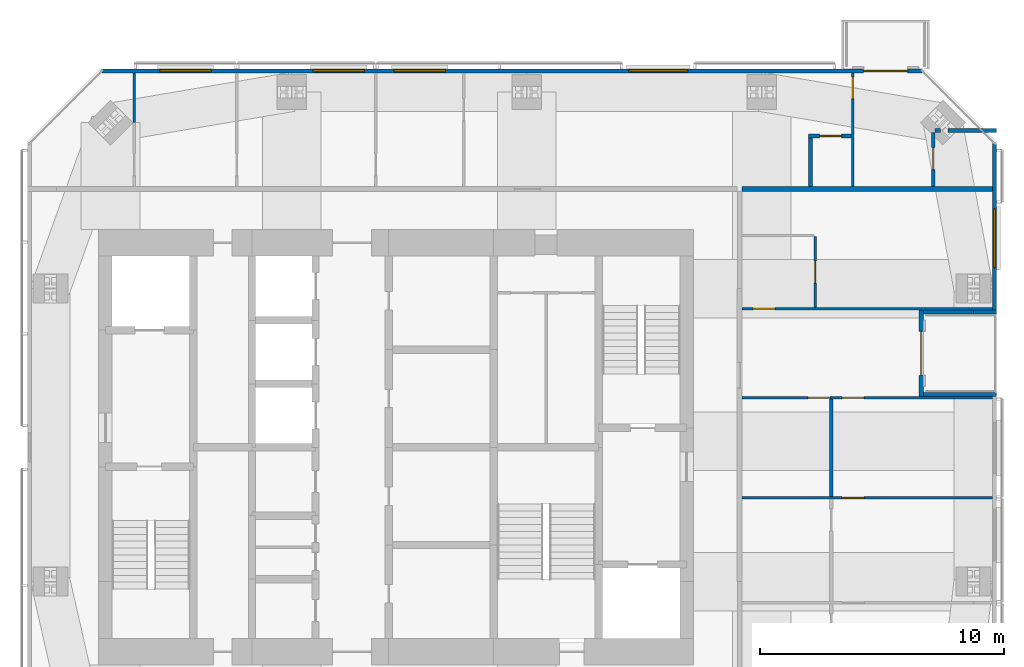
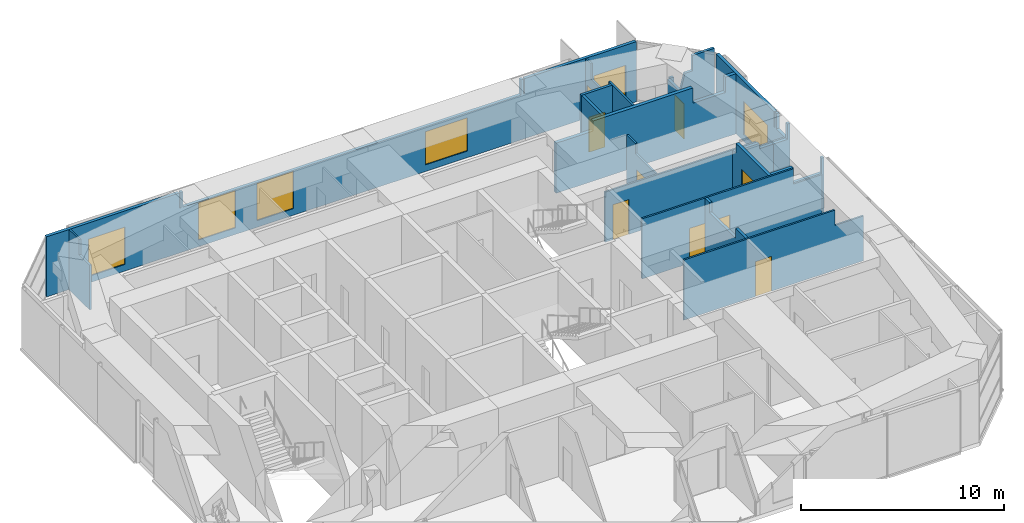
# One storey, part 18 of 20: 19 walls, 10 doors, 5 windows, 15 openings.
"""IFC4 building model written with IfcOpenShell, lengths in metres."""

from ifc_helpers import new_model, si_unit, direction, frame, frame_2d, origin, place, context, subcontext, project, spatial, polyline, rectangle, outline, extrude, material, constituent, constituent_set, type_object, element, fill, save


model = new_model("IFC4")

# Units and contexts
model_context = context("Model", 3, precision=1e-05, world=origin(), true_north=direction((0.0, 1.0)))
body_context = subcontext(model_context, "Body", "Model", "MODEL_VIEW")
ifc_project = project(units=[si_unit("LENGTHUNIT", "METRE"), si_unit("AREAUNIT", "SQUARE_METRE"), si_unit("VOLUMEUNIT", "CUBIC_METRE"), si_unit("PLANEANGLEUNIT", "RADIAN"), si_unit("MASSUNIT", "GRAM", prefix="KILO")], contexts=[model_context])

# Site, building, storey
site_placement = place(None, origin())
site = spatial("IfcSite", under=ifc_project, at=site_placement, CompositionType="ELEMENT")
building_placement = place(site_placement, origin())
building = spatial("IfcBuilding", under=site, at=building_placement, Name="Jalousie Tower", CompositionType="ELEMENT")
storey_placement = place(building_placement, frame((0.0, 0.0, 263.85009765625)))
storey = spatial("IfcBuildingStorey", under=building, at=storey_placement, Name="L72", CompositionType="ELEMENT", Elevation=263.85009765625)

# Walls
ifc_material_1 = material(Name="Concrete block ASTM C90", Category="concrete")
ifc_constituent_1 = constituent(ifc_material_1, Name="Body")
ifc_material_2 = material(Name="Render")
ifc_constituent_2 = constituent(ifc_material_2, Name="Finish")
ifc_constituent_set_1 = constituent_set(constituents=[ifc_constituent_1, ifc_constituent_2])
wall_type_1 = type_object("IfcWallType", Name="BATHROOM WALL 150", PredefinedType="PLUMBINGWALL", material=ifc_constituent_set_1)
wall_1_placement = place(storey_placement, frame((53.97509765625, 31.47509765625, 0.0), z_axis=(0.0, 0.0, 1.0), x_axis=(1.0, 0.0, 0.0)))
element("IfcWall", 1, at=wall_1_placement, inside=storey, type_object=wall_type_1, Name="Bathroom Wall 150 L72-A", PredefinedType="PLUMBINGWALL", context=body_context, shape_type="SweptSolid", body=[
    extrude(rectangle(XDim=0.216796875, YDim=0.14990234375, at=frame_2d((0.1083984375, 0.0))), origin(), (0.0, 0.0, 1.0), 2.699951171875),
])
wall_2_placement = place(storey_placement, frame((54.476318359375, 31.47509765625, 0.0), z_axis=(0.0, 0.0, 1.0), x_axis=(1.0, 0.0, 0.0)))
element("IfcWall", 2, at=wall_2_placement, inside=storey, type_object=wall_type_1, Name="Bathroom Wall 150 L72-B", PredefinedType="PLUMBINGWALL", context=body_context, shape_type="SweptSolid", body=[
    extrude(outline(polyline([(0.775390625, 3.619873046875), (0.775390625, 2.699951171875), (0.3427734375, 2.699951171875), (0.0, 1.349853515625), (0.3427734375, 0.0), (2.023681640625, 0.0), (2.023681640625, 3.619873046875), (0.775390625, 3.619873046875)])), frame((0.0, 0.074951171875, 0.0), z_axis=(0.0, -1.0, 0.0), x_axis=(1.0, 0.0, 0.0)), (0.0, 0.0, 1.0), 0.14990234375),
])

# Wall, opening, door
wall_3_placement = place(storey_placement, frame((53.89990234375, 31.39990234375, 0.0), z_axis=(0.0, 0.0, 1.0), x_axis=(0.0, -1.0, 0.0)))
wall_3 = element("IfcWall", 3, at=wall_3_placement, inside=storey, type_object=wall_type_1, Name="Bathroom Wall 150 L72", PredefinedType="PLUMBINGWALL", context=body_context, shape_type="SweptSolid", body=[
    extrude(outline(polyline([(0.0, 0.0), (2.224853515625, 0.0), (2.22509765625, 3.619873046875), (2.22509765625, 2.699951171875), (0.43798828125, 2.699951171875), (0.0, 2.699951171875), (0.0, 3.619873046875), (0.0, 0.0)])), frame((0.0, 0.074951171875, 0.0), z_axis=(0.0, -1.0, 0.0), x_axis=(1.0, 0.0, 0.0)), (0.0, 0.0, 1.0), 0.14990234375),
])
opening_1_placement = place(wall_3_placement, frame((0.625, 0.0, 0.0)))
opening_1 = element("IfcOpeningElement", 4, at=opening_1_placement, cuts=wall_3, Name="Opening D3", PredefinedType="OPENING", context=body_context, shape_type="SweptSolid", body=[
    extrude(rectangle(XDim=0.89990234375, YDim=2.10009765625, at=frame_2d((0.449951171875, 1.050048828125))), frame((0.0, 0.0849609375, 0.0), z_axis=(0.0, -1.0, 0.0), x_axis=(1.0, 0.0, 0.0)), (0.0, 0.0, 1.0), 0.169921875),
])
ifc_material_3 = material(Name="Timber door", Category="wood")
door_type_1 = type_object("IfcDoorType", Name="BATHROOM DOOR 900", OperationType="SINGLE_SWING_LEFT", PredefinedType="DOOR", material=ifc_material_3)
door_1_placement = place(opening_1_placement, origin())
door_1 = element("IfcDoor", 5, at=door_1_placement, inside=storey, type_object=door_type_1, Name="Apartment 7202 bathroom door", OperationType="SINGLE_SWING_LEFT", OverallHeight=2.10009765625, OverallWidth=0.89990234375, PredefinedType="DOOR", context=body_context, shape_type="SweptSolid", body=[
    extrude(rectangle(XDim=0.89990234375, YDim=2.10009765625, at=frame_2d((0.449951171875, 1.050048828125))), frame((0.0, 0.02490234375, 0.0), z_axis=(0.0, -1.0, 0.0), x_axis=(1.0, 0.0, 0.0)), (0.0, 0.0, 1.0), 0.050048828125),
])
fill(opening_1, door_1)

# Wall
wall_4_placement = place(storey_placement, frame((49.72509765625, 16.47509765625, 0.0), z_axis=(0.0, 0.0, 1.0), x_axis=(0.0, 1.0, 0.0)))
element("IfcWall", 6, at=wall_4_placement, inside=storey, type_object=wall_type_1, Name="Bathroom Wall 150 L72", PredefinedType="PLUMBINGWALL", context=body_context, shape_type="SweptSolid", body=[
    extrude(outline(polyline([(0.0, 0.0), (4.0, 0.0), (4.0, 3.619873046875), (3.56005859375, 3.619873046875), (3.56005859375, 3.02001953125), (0.989990234375, 3.02001953125), (0.989990234375, 3.619873046875), (0.0, 3.619873046875), (0.0, 0.0)])), frame((0.0, 0.074951171875, 0.0), z_axis=(0.0, -1.0, 0.0), x_axis=(1.0, 0.0, 0.0)), (0.0, 0.0, 1.0), 0.14990234375),
])

# Wall, opening, door
wall_5_placement = place(storey_placement, frame((50.552490234375, 31.25, 0.0), z_axis=(0.0, 0.0, 1.0), x_axis=(-1.0, 0.0, 0.0)))
wall_5 = element("IfcWall", 7, at=wall_5_placement, inside=storey, type_object=wall_type_1, Name="Bathroom Wall 150 L72", PredefinedType="PLUMBINGWALL", context=body_context, shape_type="SweptSolid", body=[
    extrude(rectangle(XDim=1.75, YDim=0.14990234375, at=frame_2d((0.875, 0.0))), origin(), (0.0, 0.0, 1.0), 3.619873046875),
])
opening_2_placement = place(wall_5_placement, frame((0.39990234375, 0.0, 0.0)))
opening_2 = element("IfcOpeningElement", 8, at=opening_2_placement, cuts=wall_5, Name="Opening D7", PredefinedType="OPENING", context=body_context, shape_type="SweptSolid", body=[
    extrude(rectangle(XDim=0.89990234375, YDim=2.10009765625, at=frame_2d((0.449951171875, 1.050048828125))), frame((0.0, 0.0849609375, 0.0), z_axis=(0.0, -1.0, 0.0), x_axis=(1.0, 0.0, 0.0)), (0.0, 0.0, 1.0), 0.169921875),
])
ifc_material_4 = material(Name="Timber door", Category="wood")
door_type_2 = type_object("IfcDoorType", Name="INTERNAL DOOR 900", OperationType="SINGLE_SWING_LEFT", PredefinedType="DOOR", material=ifc_material_4)
door_2_placement = place(opening_2_placement, origin())
door_2 = element("IfcDoor", 9, at=door_2_placement, inside=storey, type_object=door_type_2, Name="Apartment 7202 guest WC door", OperationType="SINGLE_SWING_RIGHT", OverallHeight=2.10009765625, OverallWidth=0.89990234375, PredefinedType="DOOR", context=body_context, shape_type="SweptSolid", body=[
    extrude(rectangle(XDim=0.89990234375, YDim=2.10009765625, at=frame_2d((0.449951171875, 1.050048828125))), frame((0.0, 0.02490234375, 0.0), z_axis=(0.0, -1.0, 0.0), x_axis=(1.0, 0.0, 0.0)), (0.0, 0.0, 1.0), 0.050048828125),
])
fill(opening_2, door_2)

# Wall
wall_6_placement = place(storey_placement, frame((48.87744140625, 29.175048828125, 0.0), z_axis=(0.0, 0.0, 1.0), x_axis=(0.0, 1.0, 0.0)))
element("IfcWall", 10, at=wall_6_placement, inside=storey, type_object=wall_type_1, Name="Bathroom Wall 150 L72", PredefinedType="PLUMBINGWALL", context=body_context, shape_type="SweptSolid", body=[
    extrude(rectangle(XDim=2.0, YDim=0.14990234375, at=frame_2d((1.0, 0.0))), origin(), (0.0, 0.0, 1.0), 3.619873046875),
])

# Wall, opening, window
ifc_material_5 = material(Name="Concrete f'c 40 MPa", Category="concrete")
ifc_constituent_3 = constituent(ifc_material_5, Name="Body")
ifc_material_6 = material(Name="Render, pastel sky blue")
ifc_constituent_4 = constituent(ifc_material_6, Name="Finish")
ifc_constituent_set_2 = constituent_set(constituents=[ifc_constituent_3, ifc_constituent_4])
wall_type_2 = type_object("IfcWallType", Name="EXTERNAL WALL 175 SKY BLUE RENDER", PredefinedType="SOLIDWALL", material=ifc_constituent_set_2)
wall_7_placement = place(storey_placement, frame((56.41259765625, 24.125, 0.0), z_axis=(0.0, 0.0, 1.0), x_axis=(0.0, 1.0, 0.0)))
wall_7 = element("IfcWall", 11, at=wall_7_placement, inside=storey, type_object=wall_type_2, Name="External Wall 175 Sky Blue Render L72", PredefinedType="SOLIDWALL", context=body_context, shape_type="SweptSolid", body=[
    extrude(outline(polyline([(0.0, 0.0), (6.82373046875, 0.0), (6.82373046875, 3.619873046875), (1.08349609375, 3.619873046875), (1.08349609375, 2.699951171875), (1.018310546875, 2.699951171875), (1.018310546875, 3.619873046875), (0.875, 3.619873046875), (0.875, 2.699951171875), (0.0, 2.699951171875), (0.0, 0.0)])), frame((0.0, 0.08740234375, 0.0), z_axis=(0.0, -1.0, 0.0), x_axis=(1.0, 0.0, 0.0)), (0.0, 0.0, 1.0), 0.175048828125),
])
opening_3_placement = place(wall_7_placement, frame((1.728759765625, 0.0, 0.39990234375)))
opening_3 = element("IfcOpeningElement", 12, at=opening_3_placement, cuts=wall_7, Name="Opening W-LIV", PredefinedType="OPENING", context=body_context, shape_type="SweptSolid", body=[
    extrude(rectangle(XDim=2.39990234375, YDim=2.0, at=frame_2d((1.199951171875, 1.0))), frame((0.0, 0.097412109375, 0.0), z_axis=(0.0, -1.0, 0.0), x_axis=(1.0, 0.0, 0.0)), (0.0, 0.0, 1.0), 0.195068359375),
])
ifc_material_7 = material(Name="Aluminium frame, impact-rated glazing", Category="aluminium")
window_type_1 = type_object("IfcWindowType", Name="WINDOW LIV 2400x2000", PartitioningType="DOUBLE_PANEL_VERTICAL", PredefinedType="WINDOW", material=ifc_material_7)
window_1_placement = place(opening_3_placement, origin())
window_1 = element("IfcWindow", 13, at=window_1_placement, inside=storey, type_object=window_type_1, Name="Apartment 7203 living and dining room window", OverallHeight=2.0, OverallWidth=2.39990234375, PartitioningType="SINGLE_PANEL", PredefinedType="WINDOW", context=body_context, shape_type="SweptSolid", body=[
    extrude(rectangle(XDim=2.39990234375, YDim=2.0, at=frame_2d((1.199951171875, 1.0))), frame((0.0, 0.030029296875, 0.0), z_axis=(0.0, -1.0, 0.0), x_axis=(1.0, 0.0, 0.0)), (0.0, 0.0, 1.0), 0.06005859375),
])
fill(opening_3, window_1)

# Wall, opening, door
wall_8_placement = place(storey_placement, frame((53.41259765625, 20.574951171875, 0.0), z_axis=(0.0, 0.0, 1.0), x_axis=(0.0, 1.0, 0.0)))
wall_8 = element("IfcWall", 14, at=wall_8_placement, inside=storey, type_object=wall_type_2, Name="External Wall 175 Sky Blue Render L72", PredefinedType="SOLIDWALL", context=body_context, shape_type="SweptSolid", body=[
    extrude(outline(polyline([(0.0, 0.0), (3.550048828125, 0.0), (3.550048828125, 3.02001953125), (3.22509765625, 3.02001953125), (3.22509765625, 3.619873046875), (0.0, 3.619873046875), (0.0, 0.0)])), frame((0.0, 0.08740234375, 0.0), z_axis=(0.0, -1.0, 0.0), x_axis=(1.0, 0.0, 0.0)), (0.0, 0.0, 1.0), 0.175048828125),
])
opening_4_placement = place(wall_8_placement, frame((0.875, 0.0, 0.0)))
opening_4 = element("IfcOpeningElement", 15, at=opening_4_placement, cuts=wall_8, Name="Opening D-BAL", PredefinedType="OPENING", context=body_context, shape_type="SweptSolid", body=[
    extrude(rectangle(XDim=1.800048828125, YDim=2.39990234375, at=frame_2d((0.89990234375, 1.199951171875))), frame((0.0, 0.097412109375, 0.0), z_axis=(0.0, -1.0, 0.0), x_axis=(1.0, 0.0, 0.0)), (0.0, 0.0, 1.0), 0.195068359375),
])
ifc_material_8 = material(Name="Aluminium frame, impact-rated glazing", Category="aluminium")
door_type_3 = type_object("IfcDoorType", Name="BALCONY DOOR 1800x2400", OperationType="SLIDING_TO_LEFT", PredefinedType="DOOR", material=ifc_material_8)
door_3_placement = place(opening_4_placement, origin())
door_3 = element("IfcDoor", 16, at=door_3_placement, inside=storey, type_object=door_type_3, Name="Apartment 7203 study loggia door", OperationType="SLIDING_TO_LEFT", OverallHeight=2.39990234375, OverallWidth=1.800048828125, PredefinedType="DOOR", context=body_context, shape_type="SweptSolid", body=[
    extrude(rectangle(XDim=1.800048828125, YDim=2.39990234375, at=frame_2d((0.89990234375, 1.199951171875))), frame((0.0, 0.02490234375, 0.0), z_axis=(0.0, -1.0, 0.0), x_axis=(1.0, 0.0, 0.0)), (0.0, 0.0, 1.0), 0.050048828125),
])
fill(opening_4, door_3)

# Walls
wall_9_placement = place(storey_placement, frame((56.5, 20.66259765625, 0.0), z_axis=(0.0, 0.0, 1.0), x_axis=(-1.0, 0.0, 0.0)))
element("IfcWall", 17, at=wall_9_placement, inside=storey, type_object=wall_type_2, Name="External Wall 175 Sky Blue Render L72", PredefinedType="SOLIDWALL", context=body_context, shape_type="SweptSolid", body=[
    extrude(outline(polyline([(0.0, 0.0), (3.0, 0.0), (3.0, 3.619873046875), (1.75, 3.619873046875), (1.75, 2.699951171875), (0.14990234375, 2.699951171875), (0.14990234375, 3.619873046875), (0.0, 3.619873046875), (0.0, 0.0)])), frame((0.0, 0.08740234375, 0.0), z_axis=(0.0, -1.0, 0.0), x_axis=(1.0, 0.0, 0.0)), (0.0, 0.0, 1.0), 0.175048828125),
])
wall_10_placement = place(storey_placement, frame((56.5, 24.03759765625, 0.0), z_axis=(0.0, 0.0, 1.0), x_axis=(-1.0, 0.0, 0.0)))
element("IfcWall", 18, at=wall_10_placement, inside=storey, type_object=wall_type_2, Name="External Wall 175 Sky Blue Render L72-A", PredefinedType="SOLIDWALL", context=body_context, shape_type="SweptSolid", body=[
    extrude(outline(polyline([(0.0, 0.0), (0.949951171875, 0.0), (0.949951171875, 2.699951171875), (0.14990234375, 2.699951171875), (0.14990234375, 3.619873046875), (0.0, 3.619873046875), (0.0, 0.0)])), frame((0.0, 0.08740234375, 0.0), z_axis=(0.0, -1.0, 0.0), x_axis=(1.0, 0.0, 0.0)), (0.0, 0.0, 1.0), 0.175048828125),
])
wall_11_placement = place(storey_placement, frame((55.550048828125, 24.03759765625, 0.0), z_axis=(0.0, 0.0, 1.0), x_axis=(-1.0, 0.0, 0.0)))
element("IfcWall", 19, at=wall_11_placement, inside=storey, type_object=wall_type_2, Name="External Wall 175 Sky Blue Render L72-B", PredefinedType="SOLIDWALL", context=body_context, shape_type="SweptSolid", body=[
    extrude(outline(polyline([(0.0, 0.0), (2.050048828125, 0.0), (2.050048828125, 3.02001953125), (0.800048828125, 3.02001953125), (0.800048828125, 2.699951171875), (0.0, 2.699951171875), (0.0, 0.0)])), frame((0.0, 0.08740234375, 0.0), z_axis=(0.0, -1.0, 0.0), x_axis=(1.0, 0.0, 0.0)), (0.0, 0.0, 1.0), 0.175048828125),
])

# Wall, openings, door, windows
wall_12_placement = place(storey_placement, frame((53.44873046875, 33.91259765625, 0.0), z_axis=(0.0, 0.0, 1.0), x_axis=(-1.0, 0.0, 0.0)))
wall_12 = element("IfcWall", 20, at=wall_12_placement, inside=storey, type_object=wall_type_2, Name="External Wall 175 Sky Blue Render L72", PredefinedType="SOLIDWALL", context=body_context, shape_type="SweptSolid", body=[
    extrude(outline(polyline([(0.0, 0.0), (33.597412109375, 0.0), (33.597412109375, 3.619873046875), (26.03857421875, 3.619873046875), (26.03857421875, 2.699951171875), (25.955078125, 2.699951171875), (25.955078125, 3.619873046875), (25.82373046875, 3.619873046875), (25.82373046875, 2.699951171875), (6.57373046875, 2.699951171875), (6.57373046875, 3.619873046875), (6.4423828125, 3.619873046875), (6.4423828125, 2.699951171875), (6.35888671875, 2.699951171875), (6.35888671875, 3.619873046875), (0.0, 3.619873046875), (0.0, 0.0)])), frame((0.0, 0.08740234375, 0.0), z_axis=(0.0, -1.0, 0.0), x_axis=(1.0, 0.0, 0.0)), (0.0, 0.0, 1.0), 0.175048828125),
])
opening_5_placement = place(wall_12_placement, frame((0.60009765625, 0.0, 0.0)))
opening_5 = element("IfcOpeningElement", 21, at=opening_5_placement, cuts=wall_12, Name="Opening D-BAL", PredefinedType="OPENING", context=body_context, shape_type="SweptSolid", body=[
    extrude(rectangle(XDim=1.800048828125, YDim=2.39990234375, at=frame_2d((0.89990234375, 1.199951171875))), frame((0.0, 0.097412109375, 0.0), z_axis=(0.0, -1.0, 0.0), x_axis=(1.0, 0.0, 0.0)), (0.0, 0.0, 1.0), 0.195068359375),
])
opening_6_placement = place(wall_12_placement, frame((9.610107421875, 0.0, 0.39990234375)))
opening_6 = element("IfcOpeningElement", 22, at=opening_6_placement, cuts=wall_12, Name="Opening W-LIV", PredefinedType="OPENING", context=body_context, shape_type="SweptSolid", body=[
    extrude(rectangle(XDim=2.39990234375, YDim=2.0, at=frame_2d((1.199951171875, 1.0))), frame((0.0, 0.097412109375, 0.0), z_axis=(0.0, -1.0, 0.0), x_axis=(1.0, 0.0, 0.0)), (0.0, 0.0, 1.0), 0.195068359375),
])
opening_7_placement = place(wall_12_placement, frame((19.523681640625, 0.0, 0.39990234375)))
opening_7 = element("IfcOpeningElement", 23, at=opening_7_placement, cuts=wall_12, Name="Opening W-BEDPH225", PredefinedType="OPENING", context=body_context, shape_type="SweptSolid", body=[
    extrude(rectangle(XDim=2.10009765625, YDim=2.25, at=frame_2d((1.050048828125, 1.125))), frame((0.0, 0.097412109375, 0.0), z_axis=(0.0, -1.0, 0.0), x_axis=(1.0, 0.0, 0.0)), (0.0, 0.0, 1.0), 0.195068359375),
])
opening_8_placement = place(wall_12_placement, frame((22.84375, 0.0, 0.39990234375)))
opening_8 = element("IfcOpeningElement", 24, at=opening_8_placement, cuts=wall_12, Name="Opening W-BEDPH225", PredefinedType="OPENING", context=body_context, shape_type="SweptSolid", body=[
    extrude(rectangle(XDim=2.10009765625, YDim=2.25, at=frame_2d((1.050048828125, 1.125))), frame((0.0, 0.097412109375, 0.0), z_axis=(0.0, -1.0, 0.0), x_axis=(1.0, 0.0, 0.0)), (0.0, 0.0, 1.0), 0.195068359375),
])
opening_9_placement = place(wall_12_placement, frame((29.123046875, 0.0, 0.39990234375)))
opening_9 = element("IfcOpeningElement", 25, at=opening_9_placement, cuts=wall_12, Name="Opening W-BEDPH225", PredefinedType="OPENING", context=body_context, shape_type="SweptSolid", body=[
    extrude(rectangle(XDim=2.10009765625, YDim=2.25, at=frame_2d((1.050048828125, 1.125))), frame((0.0, 0.097412109375, 0.0), z_axis=(0.0, -1.0, 0.0), x_axis=(1.0, 0.0, 0.0)), (0.0, 0.0, 1.0), 0.195068359375),
])
door_4_placement = place(opening_5_placement, origin())
door_4 = element("IfcDoor", 26, at=door_4_placement, inside=storey, type_object=door_type_3, Name="Apartment 7202 bedroom 5 balcony door", OperationType="SLIDING_TO_LEFT", OverallHeight=2.39990234375, OverallWidth=1.800048828125, PredefinedType="DOOR", context=body_context, shape_type="SweptSolid", body=[
    extrude(rectangle(XDim=1.800048828125, YDim=2.39990234375, at=frame_2d((0.89990234375, 1.199951171875))), frame((0.0, 0.02490234375, 0.0), z_axis=(0.0, -1.0, 0.0), x_axis=(1.0, 0.0, 0.0)), (0.0, 0.0, 1.0), 0.050048828125),
])
fill(opening_5, door_4)
ifc_material_9 = material(Name="Aluminium frame, impact-rated glazing", Category="aluminium")
window_type_2 = type_object("IfcWindowType", Name="WINDOW BEDPH 2100x2250", PartitioningType="DOUBLE_PANEL_VERTICAL", PredefinedType="WINDOW", material=ifc_material_9)
window_2_placement = place(opening_7_placement, origin())
window_2 = element("IfcWindow", 27, at=window_2_placement, inside=storey, type_object=window_type_2, Name="Apartment 7202 bedroom 4 window", OverallHeight=2.25, OverallWidth=2.10009765625, PartitioningType="SINGLE_PANEL", PredefinedType="WINDOW", context=body_context, shape_type="SweptSolid", body=[
    extrude(rectangle(XDim=2.10009765625, YDim=2.25, at=frame_2d((1.050048828125, 1.125))), frame((0.0, 0.030029296875, 0.0), z_axis=(0.0, -1.0, 0.0), x_axis=(1.0, 0.0, 0.0)), (0.0, 0.0, 1.0), 0.06005859375),
])
fill(opening_7, window_2)
window_3_placement = place(opening_8_placement, origin())
window_3 = element("IfcWindow", 28, at=window_3_placement, inside=storey, type_object=window_type_2, Name="Apartment 7202 bedroom 3 window", OverallHeight=2.25, OverallWidth=2.10009765625, PartitioningType="SINGLE_PANEL", PredefinedType="WINDOW", context=body_context, shape_type="SweptSolid", body=[
    extrude(rectangle(XDim=2.10009765625, YDim=2.25, at=frame_2d((1.050048828125, 1.125))), frame((0.0, 0.030029296875, 0.0), z_axis=(0.0, -1.0, 0.0), x_axis=(1.0, 0.0, 0.0)), (0.0, 0.0, 1.0), 0.06005859375),
])
fill(opening_8, window_3)
window_4_placement = place(opening_9_placement, origin())
window_4 = element("IfcWindow", 29, at=window_4_placement, inside=storey, type_object=window_type_2, Name="Apartment 7202 bedroom 2 window", OverallHeight=2.25, OverallWidth=2.10009765625, PartitioningType="SINGLE_PANEL", PredefinedType="WINDOW", context=body_context, shape_type="SweptSolid", body=[
    extrude(rectangle(XDim=2.10009765625, YDim=2.25, at=frame_2d((1.050048828125, 1.125))), frame((0.0, 0.030029296875, 0.0), z_axis=(0.0, -1.0, 0.0), x_axis=(1.0, 0.0, 0.0)), (0.0, 0.0, 1.0), 0.06005859375),
])
fill(opening_9, window_4)
window_5_placement = place(opening_6_placement, origin())
window_5 = element("IfcWindow", 30, at=window_5_placement, inside=storey, type_object=window_type_1, Name="Apartment 7202 living, dining and kitchen window", OverallHeight=2.0, OverallWidth=2.39990234375, PartitioningType="SINGLE_PANEL", PredefinedType="WINDOW", context=body_context, shape_type="SweptSolid", body=[
    extrude(rectangle(XDim=2.39990234375, YDim=2.0, at=frame_2d((1.199951171875, 1.0))), frame((0.0, 0.030029296875, 0.0), z_axis=(0.0, -1.0, 0.0), x_axis=(1.0, 0.0, 0.0)), (0.0, 0.0, 1.0), 0.06005859375),
])
fill(opening_6, window_5)

# Wall
ifc_material_10 = material(Name="Gypsum board", Category="gypsum")
ifc_constituent_5 = constituent(ifc_material_10, Name="Body")
ifc_material_11 = material(Name="Light-gauge steel studs ASTM A653 SS Grade 33", Category="steel")
ifc_constituent_6 = constituent(ifc_material_11, Name="Framing")
ifc_constituent_set_3 = constituent_set(constituents=[ifc_constituent_5, ifc_constituent_6])
wall_type_3 = type_object("IfcWallType", Name="PARTITION 100", PredefinedType="PARTITIONING", material=ifc_constituent_set_3)
wall_13_placement = place(storey_placement, frame((21.17626953125, 33.824951171875, 0.0), z_axis=(0.0, 0.0, 1.0), x_axis=(0.0, -1.0, 0.0)))
element("IfcWall", 31, at=wall_13_placement, inside=storey, type_object=wall_type_3, Name="Partition 100 L72-A", PredefinedType="PARTITIONING", context=body_context, shape_type="SweptSolid", body=[
    extrude(outline(polyline([(0.0, 0.0), (2.031982421875, 0.0), (2.031982421875, 2.699951171875), (0.99560546875, 2.699951171875), (0.99560546875, 3.619873046875), (0.0, 3.619873046875), (0.0, 0.0)])), frame((0.0, 0.050048828125, 0.0), z_axis=(0.0, -1.0, 0.0), x_axis=(1.0, 0.0, 0.0)), (0.0, 0.0, 1.0), 0.10009765625),
])

# Wall, opening, door
wall_14_placement = place(storey_placement, frame((50.6025390625, 33.824951171875, 0.0), z_axis=(0.0, 0.0, 1.0), x_axis=(0.0, -1.0, 0.0)))
wall_14 = element("IfcWall", 32, at=wall_14_placement, inside=storey, type_object=wall_type_3, Name="Partition 100 L72", PredefinedType="PARTITIONING", context=body_context, shape_type="SweptSolid", body=[
    extrude(outline(polyline([(0.0, 0.0), (4.64990234375, 0.0), (4.64990234375, 3.619873046875), (2.279052734375, 3.619873046875), (2.279052734375, 2.699951171875), (0.534423828125, 2.699951171875), (0.534423828125, 3.619873046875), (0.0, 3.619873046875), (0.0, 0.0)])), frame((0.0, 0.050048828125, 0.0), z_axis=(0.0, -1.0, 0.0), x_axis=(1.0, 0.0, 0.0)), (0.0, 0.0, 1.0), 0.10009765625),
])
opening_10_placement = place(wall_14_placement, frame((0.14990234375, 0.0, 0.0)))
opening_10 = element("IfcOpeningElement", 33, at=opening_10_placement, cuts=wall_14, Name="Opening D2", PredefinedType="OPENING", context=body_context, shape_type="SweptSolid", body=[
    extrude(rectangle(XDim=0.89990234375, YDim=2.10009765625, at=frame_2d((0.449951171875, 1.050048828125))), frame((0.0, 0.06005859375, 0.0), z_axis=(0.0, -1.0, 0.0), x_axis=(1.0, 0.0, 0.0)), (0.0, 0.0, 1.0), 0.1201171875),
])
ifc_material_12 = material(Name="Timber door", Category="wood")
door_type_4 = type_object("IfcDoorType", Name="BEDROOM DOOR 900", OperationType="SINGLE_SWING_LEFT", PredefinedType="DOOR", material=ifc_material_12)
door_5_placement = place(opening_10_placement, origin())
door_5 = element("IfcDoor", 34, at=door_5_placement, inside=storey, type_object=door_type_4, Name="Apartment 7202 bedroom 5 door", OperationType="SINGLE_SWING_LEFT", OverallHeight=2.10009765625, OverallWidth=0.89990234375, PredefinedType="DOOR", context=body_context, shape_type="SweptSolid", body=[
    extrude(rectangle(XDim=0.89990234375, YDim=2.10009765625, at=frame_2d((0.449951171875, 1.050048828125))), frame((0.0, 0.02490234375, 0.0), z_axis=(0.0, -1.0, 0.0), x_axis=(1.0, 0.0, 0.0)), (0.0, 0.0, 1.0), 0.050048828125),
])
fill(opening_10, door_5)

wall_15_placement = place(storey_placement, frame((56.324951171875, 16.425048828125, 0.0), z_axis=(0.0, 0.0, 1.0), x_axis=(-1.0, 0.0, 0.0)))
wall_15 = element("IfcWall", 35, at=wall_15_placement, inside=storey, type_object=wall_type_3, Name="Partition 100 L72", PredefinedType="PARTITIONING", context=body_context, shape_type="SweptSolid", body=[
    extrude(outline(polyline([(0.0, 0.0), (10.25, 0.0), (10.25, 3.619873046875), (1.635009765625, 3.619873046875), (1.635009765625, 2.699951171875), (0.0, 2.699951171875), (0.0, 3.619873046875), (0.0, 0.0)])), frame((0.0, 0.050048828125, 0.0), z_axis=(0.0, -1.0, 0.0), x_axis=(1.0, 0.0, 0.0)), (0.0, 0.0, 1.0), 0.10009765625),
])
opening_11_placement = place(wall_15_placement, frame((5.25, 0.0, 0.0)))
opening_11 = element("IfcOpeningElement", 36, at=opening_11_placement, cuts=wall_15, Name="Opening D2", PredefinedType="OPENING", context=body_context, shape_type="SweptSolid", body=[
    extrude(rectangle(XDim=0.89990234375, YDim=2.10009765625, at=frame_2d((0.449951171875, 1.050048828125))), frame((0.0, 0.06005859375, 0.0), z_axis=(0.0, -1.0, 0.0), x_axis=(1.0, 0.0, 0.0)), (0.0, 0.0, 1.0), 0.1201171875),
])
door_6_placement = place(opening_11_placement, origin())
door_6 = element("IfcDoor", 37, at=door_6_placement, inside=storey, type_object=door_type_4, Name="Apartment 7203 bedroom 2 door", OperationType="SINGLE_SWING_RIGHT", OverallHeight=2.10009765625, OverallWidth=0.89990234375, PredefinedType="DOOR", context=body_context, shape_type="SweptSolid", body=[
    extrude(rectangle(XDim=0.89990234375, YDim=2.10009765625, at=frame_2d((0.449951171875, 1.050048828125))), frame((0.0, 0.02490234375, 0.0), z_axis=(0.0, -1.0, 0.0), x_axis=(1.0, 0.0, 0.0)), (0.0, 0.0, 1.0), 0.050048828125),
])
fill(opening_11, door_6)

# Wall, openings, doors
wall_16_placement = place(storey_placement, frame((56.324951171875, 20.52490234375, 0.0), z_axis=(0.0, 0.0, 1.0), x_axis=(-1.0, 0.0, 0.0)))
wall_16 = element("IfcWall", 38, at=wall_16_placement, inside=storey, type_object=wall_type_3, Name="Partition 100 L72", PredefinedType="PARTITIONING", context=body_context, shape_type="SweptSolid", body=[
    extrude(outline(polyline([(0.0, 0.0), (10.25, 0.0), (10.25, 3.619873046875), (1.635009765625, 3.619873046875), (1.635009765625, 2.699951171875), (0.0, 2.699951171875), (0.0, 3.619873046875), (0.0, 0.0)])), frame((0.0, 0.050048828125, 0.0), z_axis=(0.0, -1.0, 0.0), x_axis=(1.0, 0.0, 0.0)), (0.0, 0.0, 1.0), 0.10009765625),
])
opening_12_placement = place(wall_16_placement, frame((5.25, 0.0, 0.0)))
opening_12 = element("IfcOpeningElement", 39, at=opening_12_placement, cuts=wall_16, Name="Opening D2", PredefinedType="OPENING", context=body_context, shape_type="SweptSolid", body=[
    extrude(rectangle(XDim=0.89990234375, YDim=2.10009765625, at=frame_2d((0.449951171875, 1.050048828125))), frame((0.0, 0.06005859375, 0.0), z_axis=(0.0, -1.0, 0.0), x_axis=(1.0, 0.0, 0.0)), (0.0, 0.0, 1.0), 0.1201171875),
])
opening_13_placement = place(wall_16_placement, frame((6.64990234375, 0.0, 0.0)))
opening_13 = element("IfcOpeningElement", 40, at=opening_13_placement, cuts=wall_16, Name="Opening D7", PredefinedType="OPENING", context=body_context, shape_type="SweptSolid", body=[
    extrude(rectangle(XDim=0.89990234375, YDim=2.10009765625, at=frame_2d((0.449951171875, 1.050048828125))), frame((0.0, 0.06005859375, 0.0), z_axis=(0.0, -1.0, 0.0), x_axis=(1.0, 0.0, 0.0)), (0.0, 0.0, 1.0), 0.1201171875),
])
door_7_placement = place(opening_12_placement, origin())
door_7 = element("IfcDoor", 41, at=door_7_placement, inside=storey, type_object=door_type_4, Name="Apartment 7203 bedroom 3 door", OperationType="SINGLE_SWING_RIGHT", OverallHeight=2.10009765625, OverallWidth=0.89990234375, PredefinedType="DOOR", context=body_context, shape_type="SweptSolid", body=[
    extrude(rectangle(XDim=0.89990234375, YDim=2.10009765625, at=frame_2d((0.449951171875, 1.050048828125))), frame((0.0, 0.02490234375, 0.0), z_axis=(0.0, -1.0, 0.0), x_axis=(1.0, 0.0, 0.0)), (0.0, 0.0, 1.0), 0.050048828125),
])
fill(opening_12, door_7)
door_8_placement = place(opening_13_placement, origin())
door_8 = element("IfcDoor", 42, at=door_8_placement, inside=storey, type_object=door_type_2, Name="Apartment 7203 bathroom door", OperationType="SINGLE_SWING_LEFT", OverallHeight=2.10009765625, OverallWidth=0.89990234375, PredefinedType="DOOR", context=body_context, shape_type="SweptSolid", body=[
    extrude(rectangle(XDim=0.89990234375, YDim=2.10009765625, at=frame_2d((0.449951171875, 1.050048828125))), frame((0.0, 0.02490234375, 0.0), z_axis=(0.0, -1.0, 0.0), x_axis=(1.0, 0.0, 0.0)), (0.0, 0.0, 1.0), 0.050048828125),
])
fill(opening_13, door_8)

# Wall, opening, door
wall_17_placement = place(storey_placement, frame((56.324951171875, 24.175048828125, 0.0), z_axis=(0.0, 0.0, 1.0), x_axis=(-1.0, 0.0, 0.0)))
wall_17 = element("IfcWall", 43, at=wall_17_placement, inside=storey, type_object=wall_type_3, Name="Partition 100 L72", PredefinedType="PARTITIONING", context=body_context, shape_type="SweptSolid", body=[
    extrude(outline(polyline([(0.0, 0.0), (10.25, 0.0), (10.25, 3.619873046875), (10.25, 3.02001953125), (1.635009765625, 3.02001953125), (1.635009765625, 2.699951171875), (0.0, 2.699951171875), (0.0, 3.619873046875), (0.0, 0.0)])), frame((0.0, 0.050048828125, 0.0), z_axis=(0.0, -1.0, 0.0), x_axis=(1.0, 0.0, 0.0)), (0.0, 0.0, 1.0), 0.10009765625),
])
opening_14_placement = place(wall_17_placement, frame((8.89990234375, 0.0, 0.0)))
opening_14 = element("IfcOpeningElement", 44, at=opening_14_placement, cuts=wall_17, Name="Opening D2", PredefinedType="OPENING", context=body_context, shape_type="SweptSolid", body=[
    extrude(rectangle(XDim=0.89990234375, YDim=2.10009765625, at=frame_2d((0.449951171875, 1.050048828125))), frame((0.0, 0.06005859375, 0.0), z_axis=(0.0, -1.0, 0.0), x_axis=(1.0, 0.0, 0.0)), (0.0, 0.0, 1.0), 0.1201171875),
])
door_9_placement = place(opening_14_placement, origin())
door_9 = element("IfcDoor", 45, at=door_9_placement, inside=storey, type_object=door_type_4, Name="Apartment 7203 study door", OperationType="SINGLE_SWING_RIGHT", OverallHeight=2.10009765625, OverallWidth=0.89990234375, PredefinedType="DOOR", context=body_context, shape_type="SweptSolid", body=[
    extrude(rectangle(XDim=0.89990234375, YDim=2.10009765625, at=frame_2d((0.449951171875, 1.050048828125))), frame((0.0, 0.02490234375, 0.0), z_axis=(0.0, -1.0, 0.0), x_axis=(1.0, 0.0, 0.0)), (0.0, 0.0, 1.0), 0.050048828125),
])
fill(opening_14, door_9)

wall_18_placement = place(storey_placement, frame((49.074951171875, 24.22509765625, 0.0), z_axis=(0.0, 0.0, 1.0), x_axis=(0.0, 1.0, 0.0)))
wall_18 = element("IfcWall", 46, at=wall_18_placement, inside=storey, type_object=wall_type_3, Name="Partition 100 L72", PredefinedType="PARTITIONING", context=body_context, shape_type="SweptSolid", body=[
    extrude(outline(polyline([(0.0, 0.0), (2.89990234375, 0.0), (2.89990234375, 3.619873046875), (2.034912109375, 3.619873046875), (2.034912109375, 3.02001953125), (0.0, 3.02001953125), (0.0, 3.619873046875), (0.0, 0.0)])), frame((0.0, 0.050048828125, 0.0), z_axis=(0.0, -1.0, 0.0), x_axis=(1.0, 0.0, 0.0)), (0.0, 0.0, 1.0), 0.10009765625),
])
opening_15_placement = place(wall_18_placement, frame((1.0, 0.0, 0.0)))
opening_15 = element("IfcOpeningElement", 47, at=opening_15_placement, cuts=wall_18, Name="Opening D7", PredefinedType="OPENING", context=body_context, shape_type="SweptSolid", body=[
    extrude(rectangle(XDim=0.89990234375, YDim=2.10009765625, at=frame_2d((0.449951171875, 1.050048828125))), frame((0.0, 0.06005859375, 0.0), z_axis=(0.0, -1.0, 0.0), x_axis=(1.0, 0.0, 0.0)), (0.0, 0.0, 1.0), 0.1201171875),
])
door_10_placement = place(opening_15_placement, frame((0.89990234375, 0.0, 0.0), z_axis=(0.0, 0.0, 1.0), x_axis=(-1.0, 0.0, 0.0)))
door_10 = element("IfcDoor", 48, at=door_10_placement, inside=storey, type_object=door_type_2, Name="Apartment 7203 kitchen door", OperationType="SINGLE_SWING_RIGHT", OverallHeight=2.10009765625, OverallWidth=0.89990234375, PredefinedType="DOOR", context=body_context, shape_type="SweptSolid", body=[
    extrude(rectangle(XDim=0.89990234375, YDim=2.10009765625, at=frame_2d((0.449951171875, 1.050048828125))), frame((0.0, 0.02490234375, 0.0), z_axis=(0.0, -1.0, 0.0), x_axis=(1.0, 0.0, 0.0)), (0.0, 0.0, 1.0), 0.050048828125),
])
fill(opening_15, door_10)

# Wall
ifc_material_13 = material(Name="Concrete block ASTM C90", Category="concrete")
ifc_constituent_7 = constituent(ifc_material_13, Name="Body")
ifc_material_14 = material(Name="Render")
ifc_constituent_8 = constituent(ifc_material_14, Name="Finish")
ifc_constituent_set_4 = constituent_set(constituents=[ifc_constituent_7, ifc_constituent_8])
wall_type_4 = type_object("IfcWallType", Name="PARTY WALL 200", PredefinedType="PARTITIONING", material=ifc_constituent_set_4)
wall_19_placement = place(storey_placement, frame((46.074951171875, 29.074951171875, 0.0), z_axis=(0.0, 0.0, 1.0), x_axis=(1.0, 0.0, 0.0)))
element("IfcWall", 49, at=wall_19_placement, inside=storey, type_object=wall_type_4, Name="Party Wall 200 L72", PredefinedType="PARTITIONING", context=body_context, shape_type="SweptSolid", body=[
    extrude(outline(polyline([(0.0, 0.0), (10.425048828125, 0.0), (10.425048828125, 3.619873046875), (9.646240234375, 3.619873046875), (9.646240234375, 2.699951171875), (7.79541015625, 2.699951171875), (7.79541015625, 3.619873046875), (2.110107421875, 3.619873046875), (2.110107421875, 3.02001953125), (0.0, 3.02001953125), (0.0, 3.619873046875), (0.0, 0.0)])), frame((0.0, 0.10009765625, 0.0), z_axis=(0.0, -1.0, 0.0), x_axis=(1.0, 0.0, 0.0)), (0.0, 0.0, 1.0), 0.199951171875),
])

save(model, "model.ifc")
